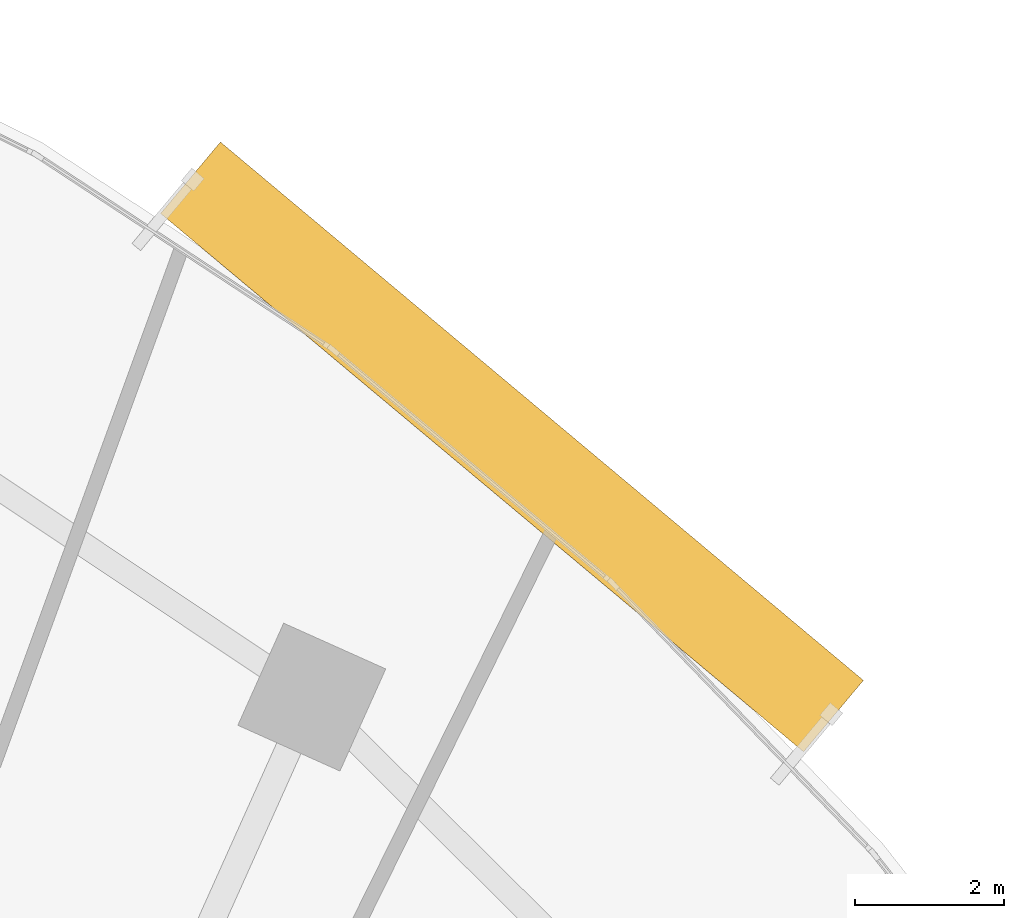
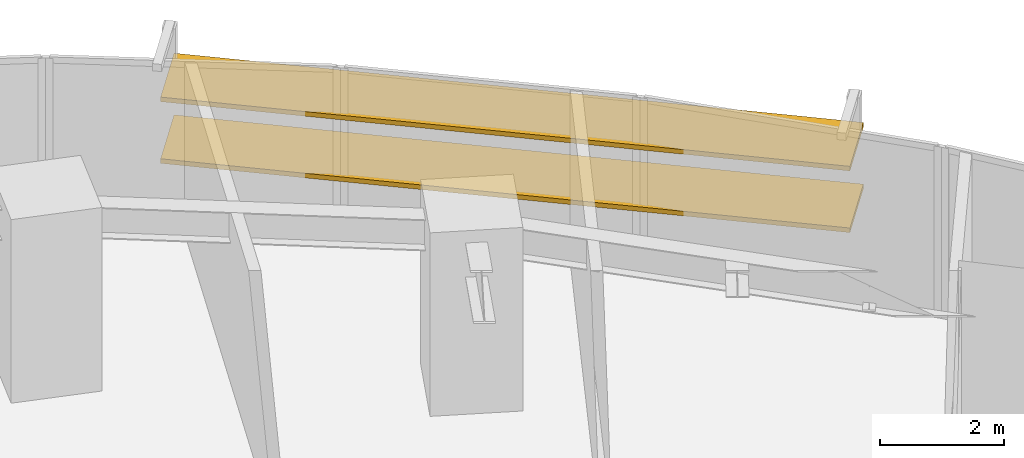
# One storey, part 18 of 18: 2 shading devices.
"""IFC4 building model written with IfcOpenShell, lengths in metres."""

from ifc_helpers import new_model, si_unit, direction, frame, origin, origin_2d, place, context, subcontext, project, spatial, rectangle, extrude, source, transform, mapped, material, material_profile, profile_set, type_object, element, save


model = new_model("IFC4")

# Units and contexts
model_context = context("Model", 3, precision=1e-05, world=origin(), true_north=direction((0.0, 1.0)))
body_context = subcontext(model_context, "Body", "Model", "MODEL_VIEW")
ifc_project = project(units=[si_unit("LENGTHUNIT", "METRE"), si_unit("AREAUNIT", "SQUARE_METRE"), si_unit("VOLUMEUNIT", "CUBIC_METRE"), si_unit("PLANEANGLEUNIT", "RADIAN"), si_unit("MASSUNIT", "GRAM", prefix="KILO")], contexts=[model_context])

# Site, building, storey
site_placement = place(None, origin())
site = spatial("IfcSite", under=ifc_project, at=site_placement, CompositionType="ELEMENT")
building_placement = place(site_placement, origin())
building = spatial("IfcBuilding", under=site, at=building_placement, Name="Breltana Convention Tower", CompositionType="ELEMENT")
storey_placement = place(building_placement, frame((0.0, 0.0, 42.60009765625)))
storey = spatial("IfcBuildingStorey", under=building, at=storey_placement, Name="L08", CompositionType="ELEMENT", Elevation=42.60009765625)

# Shading devices
ifc_material = material(Name="Limestone Warm Buff Honed", Category="masonry")
ifc_material_profile = material_profile(ifc_material, rectangle(XDim=1.25, YDim=0.090087890625, at=origin_2d()), Name="STN-LVR-1250X90")
ifc_profile_set = profile_set([ifc_material_profile], Name="Limestone Warm Buff Honed")
shading_device_type = type_object("IfcShadingDeviceType", Name="SHD-OUTER-SKIN-LIMESTONE-1250", PredefinedType="JALOUSIE", material=ifc_profile_set)
shared_shape = source(origin(), body_context, "Body", "SweptSolid", [
    extrude(rectangle(XDim=1.25, YDim=0.090087890625, at=origin_2d()), origin(), (0.0, 0.0, 1.0), 11.246337890625),
])
for number, where, z_axis, x_axis, name in (
    (1, (67.28369140625, 75.598388671875, 1.20947265625), (0.766719155588, -0.641982660556, 0.0), (0.641982660556, 0.766719155588, 0.0), "L08 outer skin warm limestone louvre 2.1"),
    (2, (67.28369140625, 75.598388671875, 2.419189453125), (0.766719155588, -0.641982660556, 0.0), (0.641982660556, 0.766719155588, 0.0), "L08 outer skin warm limestone louvre 2.2"),
):
    element("IfcShadingDevice", number, at=place(storey_placement, frame(where, z_axis=z_axis, x_axis=x_axis)), inside=storey, type_object=shading_device_type, Name=name, PredefinedType="JALOUSIE", context=body_context, shape_type="MappedRepresentation", body=[
        mapped(shared_shape, transform((0.0, 0.0, 0.0), scale=1.0)),
    ])

save(model, "model.ifc")
